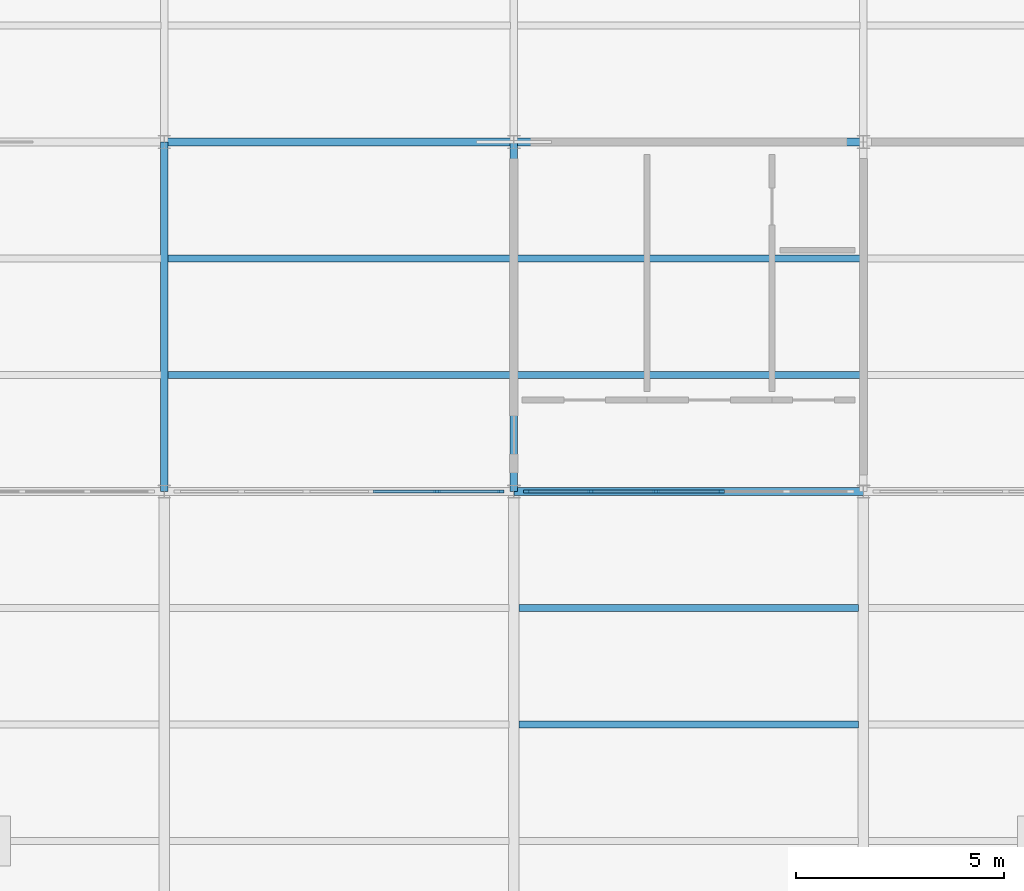
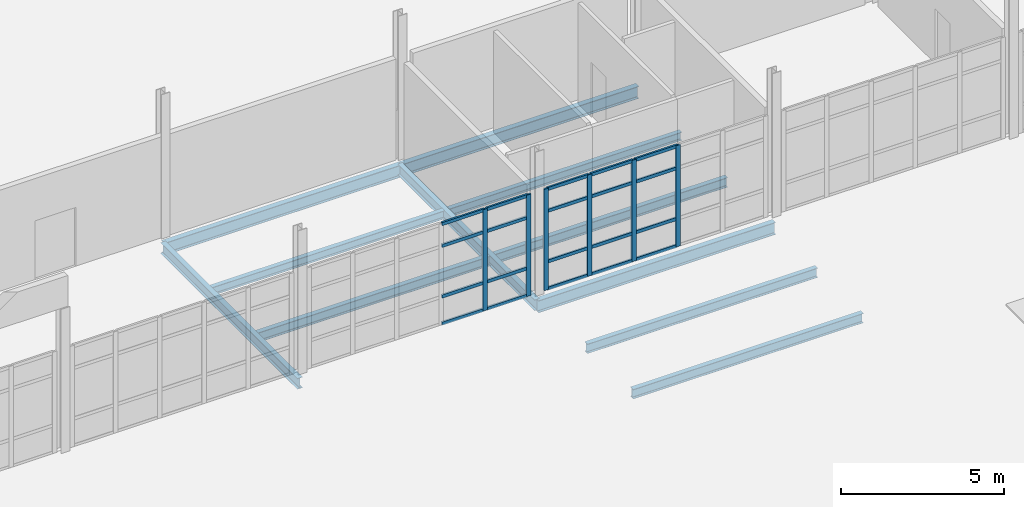
# One storey, part 10 of 33: 26 members, 11 beams, 2 elements without a shape of their own.
"""IFC4 building model written with IfcOpenShell, lengths in metres."""

from ifc_helpers import new_model, si_unit, direction, frame, origin, origin_2d, place, context, subcontext, project, spatial, rectangle, i_section, extrude, material, layer, layer_set, material_profile, profile_set, type_object, element, aggregate, save


model = new_model("IFC4")

# Units and contexts
model_context = context("Model", 3, precision=1e-05, world=origin(), true_north=direction((0.0, 1.0)))
body_context = subcontext(model_context, "Body", "Model", "MODEL_VIEW")
ifc_project = project(units=[si_unit("LENGTHUNIT", "METRE"), si_unit("AREAUNIT", "SQUARE_METRE"), si_unit("VOLUMEUNIT", "CUBIC_METRE"), si_unit("PLANEANGLEUNIT", "RADIAN"), si_unit("MASSUNIT", "GRAM", prefix="KILO"), si_unit("THERMODYNAMICTEMPERATUREUNIT", "KELVIN"), si_unit("POWERUNIT", "WATT")], contexts=[model_context])

# Site, building, storey
site_placement = place(None, origin())
site = spatial("IfcSite", under=ifc_project, at=site_placement, CompositionType="ELEMENT")
building_placement = place(site_placement, origin())
building = spatial("IfcBuilding", under=site, at=building_placement, Name="Tembeka Court Mobility Hub", CompositionType="ELEMENT")
storey_placement = place(building_placement, frame((0.0, 0.0, 23.39990234375)))
storey = spatial("IfcBuildingStorey", under=building, at=storey_placement, Name="L06", CompositionType="ELEMENT", Elevation=23.39990234375)

# Beams
ifc_material_1 = material(Name="Steel S355", Category="steel")
ifc_material_profile_1 = material_profile(ifc_material_1, i_section(OverallWidth=0.18994140625, OverallDepth=0.45703125, WebThickness=0.009033203125, FlangeThickness=0.014404296875, FilletRadius=0.01025390625, at=origin_2d()), Name="UKB 457x191x74")
ifc_profile_set_1 = profile_set([ifc_material_profile_1], Name="Steel S355")
beam_type_1 = type_object("IfcBeamType", Name="BM-B01", PredefinedType="BEAM", material=ifc_profile_set_1)
beam_1_placement = place(storey_placement, frame((58.800048828125, 38.39990234375, -0.478515625), z_axis=(1.0, 0.0, 0.0), x_axis=(0.0, 1.0, 0.0)))
element("IfcBeam", 1, at=beam_1_placement, inside=storey, type_object=beam_type_1, Name="Beam B01 (BM-L06-X3118)", PredefinedType="BEAM", context=body_context, shape_type="SweptSolid", body=[
    extrude(i_section(OverallWidth=0.18994140625, OverallDepth=0.45703125, WebThickness=0.009033203125, FlangeThickness=0.014404296875, FilletRadius=0.01025390625, at=origin_2d()), origin(), (0.0, 0.0, 1.0), 8.39990234375),
])
beam_2_placement = place(storey_placement, frame((50.39990234375, 46.800048828125, -0.478515625), z_axis=(1.0, 0.0, 0.0), x_axis=(0.0, 1.0, 0.0)))
element("IfcBeam", 2, at=beam_2_placement, inside=storey, type_object=beam_type_1, Name="Beam B01 (BM-L06-X3127)", PredefinedType="BEAM", context=body_context, shape_type="SweptSolid", body=[
    extrude(i_section(OverallWidth=0.18994140625, OverallDepth=0.45703125, WebThickness=0.009033203125, FlangeThickness=0.014404296875, FilletRadius=0.01025390625, at=origin_2d()), origin(), (0.0, 0.0, 1.0), 8.400146484375),
])
beam_3_placement = place(storey_placement, frame((58.800048828125, 46.800048828125, -0.478515625), z_axis=(1.0, 0.0, 0.0), x_axis=(0.0, 1.0, 0.0)))
element("IfcBeam", 3, at=beam_3_placement, inside=storey, type_object=beam_type_1, Name="Beam B01 (BM-L06-X3128)", PredefinedType="BEAM", context=body_context, shape_type="SweptSolid", body=[
    extrude(i_section(OverallWidth=0.18994140625, OverallDepth=0.45703125, WebThickness=0.009033203125, FlangeThickness=0.014404296875, FilletRadius=0.01025390625, at=origin_2d()), origin(), (0.0, 0.0, 1.0), 8.39990234375),
])
ifc_material_profile_2 = material_profile(ifc_material_1, i_section(OverallWidth=0.177978515625, OverallDepth=0.406005859375, WebThickness=0.0078125, FlangeThickness=0.0126953125, FilletRadius=0.01025390625, at=origin_2d()), Name="UKB 406x178x60")
ifc_profile_set_2 = profile_set([ifc_material_profile_2], Name="Steel S355")
beam_type_2 = type_object("IfcBeamType", Name="BM-B02", PredefinedType="BEAM", material=ifc_profile_set_2)
for number, where, z_axis, x_axis, name in (
    (4, (50.39990234375, 38.39990234375, -0.452880859375), (0.0, 1.0, 0.0), (-1.0, 0.0, 0.0), "Beam B02 (BM-L06-Y3249)"),
    (5, (58.800048828125, 38.39990234375, -0.452880859375), (0.0, 1.0, 0.0), (-1.0, 0.0, 0.0), "Beam B02 (BM-L06-Y3255)"),
):
    element("IfcBeam", number, at=place(storey_placement, frame(where, z_axis=z_axis, x_axis=x_axis)), inside=storey, type_object=beam_type_2, Name=name, PredefinedType="BEAM", context=body_context, shape_type="SweptSolid", body=[
        extrude(i_section(OverallWidth=0.177978515625, OverallDepth=0.406005859375, WebThickness=0.0078125, FlangeThickness=0.0126953125, FilletRadius=0.01025390625, at=origin_2d()), origin(), (0.0, 0.0, 1.0), 8.400146484375),
    ])
ifc_material_profile_3 = material_profile(ifc_material_1, i_section(OverallWidth=0.172119140625, OverallDepth=0.35498046875, WebThickness=0.00732421875, FlangeThickness=0.011474609375, FilletRadius=0.01025390625, at=origin_2d()), Name="UKB 356x171x51")
ifc_profile_set_3 = profile_set([ifc_material_profile_3], Name="Steel S355")
beam_type_3 = type_object("IfcBeamType", Name="BM-J01", PredefinedType="JOIST", material=ifc_profile_set_3)
for number, where, z_axis, x_axis, name in (
    (6, (58.922119140625, 32.800048828125, -0.407470703125), (1.0, 0.0, 0.0), (0.0, 1.0, 0.0), "Beam J01 (JST-L06-3424)"),
    (7, (58.922119140625, 35.60009765625, -0.407470703125), (1.0, 0.0, 0.0), (0.0, 1.0, 0.0), "Beam J01 (JST-L06-3425)"),
):
    element("IfcBeam", number, at=place(storey_placement, frame(where, z_axis=z_axis, x_axis=x_axis)), inside=storey, type_object=beam_type_3, Name=name, PredefinedType="JOIST", context=body_context, shape_type="SweptSolid", body=[
        extrude(i_section(OverallWidth=0.172119140625, OverallDepth=0.35498046875, WebThickness=0.00732421875, FlangeThickness=0.011474609375, FilletRadius=0.01025390625, at=origin_2d()), origin(), (0.0, 0.0, 1.0), 8.15576171875),
    ])
ifc_material_profile_4 = material_profile(ifc_material_1, i_section(OverallWidth=0.1650390625, OverallDepth=0.303955078125, WebThickness=0.006103515625, FlangeThickness=0.01025390625, FilletRadius=0.0087890625, at=origin_2d()), Name="UKB 305x165x40")
ifc_profile_set_4 = profile_set([ifc_material_profile_4], Name="Steel S355")
beam_type_4 = type_object("IfcBeamType", Name="BM-J02", PredefinedType="JOIST", material=ifc_profile_set_4)
beam_4_placement = place(storey_placement, frame((50.48388671875, 44.0, -0.40185546875), z_axis=(1.0, 0.0, 0.0), x_axis=(0.0, 1.0, 0.0)))
element("IfcBeam", 8, at=beam_4_placement, inside=storey, type_object=beam_type_4, Name="Beam J02 (JST-L06-3409)", PredefinedType="JOIST", context=body_context, shape_type="SweptSolid", body=[
    extrude(i_section(OverallWidth=0.1650390625, OverallDepth=0.303955078125, WebThickness=0.006103515625, FlangeThickness=0.01025390625, FilletRadius=0.0087890625, at=origin_2d()), origin(), (0.0, 0.0, 1.0), 8.232177734375),
])
beam_5_placement = place(storey_placement, frame((58.884033203125, 44.0, -0.40185546875), z_axis=(1.0, 0.0, 0.0), x_axis=(0.0, 1.0, 0.0)))
element("IfcBeam", 9, at=beam_5_placement, inside=storey, type_object=beam_type_4, Name="Beam J02 (JST-L06-3427)", PredefinedType="JOIST", context=body_context, shape_type="SweptSolid", body=[
    extrude(i_section(OverallWidth=0.1650390625, OverallDepth=0.303955078125, WebThickness=0.006103515625, FlangeThickness=0.01025390625, FilletRadius=0.0087890625, at=origin_2d()), origin(), (0.0, 0.0, 1.0), 8.23193359375),
])
ifc_material_profile_5 = material_profile(ifc_material_1, i_section(OverallWidth=0.169921875, OverallDepth=0.360107421875, WebThickness=0.008056640625, FlangeThickness=0.0126953125, FilletRadius=0.01806640625, at=origin_2d()), Name="IPE 360")
ifc_profile_set_5 = profile_set([ifc_material_profile_5], Name="Steel S355")
beam_type_5 = type_object("IfcBeamType", Name="BM-J03", PredefinedType="JOIST", material=ifc_profile_set_5)
beam_6_placement = place(storey_placement, frame((50.48388671875, 41.199951171875, -0.429931640625), z_axis=(1.0, 0.0, 0.0), x_axis=(0.0, 1.0, 0.0)))
element("IfcBeam", 10, at=beam_6_placement, inside=storey, type_object=beam_type_5, Name="Beam J03 (JST-L06-3408)", PredefinedType="JOIST", context=body_context, shape_type="SweptSolid", body=[
    extrude(i_section(OverallWidth=0.169921875, OverallDepth=0.360107421875, WebThickness=0.008056640625, FlangeThickness=0.0126953125, FilletRadius=0.01806640625, at=origin_2d()), origin(), (0.0, 0.0, 1.0), 8.232177734375),
])
beam_7_placement = place(storey_placement, frame((58.884033203125, 41.199951171875, -0.429931640625), z_axis=(1.0, 0.0, 0.0), x_axis=(0.0, 1.0, 0.0)))
element("IfcBeam", 11, at=beam_7_placement, inside=storey, type_object=beam_type_5, Name="Beam J03 (JST-L06-3426)", PredefinedType="JOIST", context=body_context, shape_type="SweptSolid", body=[
    extrude(i_section(OverallWidth=0.169921875, OverallDepth=0.360107421875, WebThickness=0.008056640625, FlangeThickness=0.0126953125, FilletRadius=0.01806640625, at=origin_2d()), origin(), (0.0, 0.0, 1.0), 8.23193359375),
])

# Curtain wall, members
ifc_material_2 = material(Name="Anodised aluminium 6063-T6", Category="aluminium")
ifc_layer = layer(ifc_material_2, 0.159912109375)
ifc_layer_set = layer_set([ifc_layer], Name="Anodised aluminium 6063-T6")
curtain_wall_type = type_object("IfcCurtainWallType", Name="CW-SYS57", PredefinedType="USERDEFINED", material=ifc_layer_set)
curtain_wall_1_placement = place(storey_placement, origin())
curtain_wall_1 = element("IfcCurtainWall", 12, at=curtain_wall_1_placement, inside=storey, type_object=curtain_wall_type, Name="Unitised curtain wall CW57 (CW-L06-156)", ObjectType="UNITISED GLAZING", PredefinedType="USERDEFINED")
ifc_material_profile_6 = material_profile(ifc_material_2, rectangle(XDim=0.06494140625, YDim=0.159912109375, at=origin_2d()), Name="ALU-MUL 65x160")
ifc_profile_set_6 = profile_set([ifc_material_profile_6], Name="Anodised aluminium 6063-T6")
member_type_1 = type_object("IfcMemberType", Name="CW-MUL01", PredefinedType="MULLION", material=ifc_profile_set_6)
member_1_placement = place(storey_placement, frame((56.951904296875, 38.39990234375, 0.0), z_axis=(0.0, 0.0, 1.0), x_axis=(0.0, 1.0, 0.0)))
member_1 = element("IfcMember", 13, at=member_1_placement, type_object=member_type_1, Name="CW57 mullion 5", PredefinedType="MULLION", context=body_context, shape_type="SweptSolid", body=[
    extrude(rectangle(XDim=0.06494140625, YDim=0.159912109375, at=origin_2d()), origin(), (0.0, 0.0, 1.0), 3.795166015625),
])
member_2_placement = place(storey_placement, frame((58.487548828125, 38.39990234375, 0.0), z_axis=(0.0, 0.0, 1.0), x_axis=(0.0, 1.0, 0.0)))
member_2 = element("IfcMember", 14, at=member_2_placement, type_object=member_type_1, Name="CW57 mullion 6", PredefinedType="MULLION", context=body_context, shape_type="SweptSolid", body=[
    extrude(rectangle(XDim=0.06494140625, YDim=0.159912109375, at=origin_2d()), origin(), (0.0, 0.0, 1.0), 3.795166015625),
])

curtain_wall_2_placement = place(storey_placement, origin())
curtain_wall_2 = element("IfcCurtainWall", 15, at=curtain_wall_2_placement, inside=storey, type_object=curtain_wall_type, Name="Unitised curtain wall CW57 (CW-L06-158)", ObjectType="UNITISED GLAZING", PredefinedType="USERDEFINED")
member_3_placement = place(storey_placement, frame((59.112548828125, 38.39990234375, 0.0), z_axis=(0.0, 0.0, 1.0), x_axis=(0.0, 1.0, 0.0)))
member_3 = element("IfcMember", 16, at=member_3_placement, type_object=member_type_1, Name="CW57 mullion 1", PredefinedType="MULLION", context=body_context, shape_type="SweptSolid", body=[
    extrude(rectangle(XDim=0.06494140625, YDim=0.159912109375, at=origin_2d()), origin(), (0.0, 0.0, 1.0), 3.795166015625),
])
member_4_placement = place(storey_placement, frame((60.64794921875, 38.39990234375, 0.0), z_axis=(0.0, 0.0, 1.0), x_axis=(0.0, 1.0, 0.0)))
member_4 = element("IfcMember", 17, at=member_4_placement, type_object=member_type_1, Name="CW57 mullion 2", PredefinedType="MULLION", context=body_context, shape_type="SweptSolid", body=[
    extrude(rectangle(XDim=0.06494140625, YDim=0.159912109375, at=origin_2d()), origin(), (0.0, 0.0, 1.0), 3.795166015625),
])
member_5_placement = place(storey_placement, frame((62.216064453125, 38.39990234375, 0.0), z_axis=(0.0, 0.0, 1.0), x_axis=(0.0, 1.0, 0.0)))
member_5 = element("IfcMember", 18, at=member_5_placement, type_object=member_type_1, Name="CW57 mullion 3", PredefinedType="MULLION", context=body_context, shape_type="SweptSolid", body=[
    extrude(rectangle(XDim=0.06494140625, YDim=0.159912109375, at=origin_2d()), origin(), (0.0, 0.0, 1.0), 3.795166015625),
])
member_6_placement = place(storey_placement, frame((63.783935546875, 38.39990234375, 0.0), z_axis=(0.0, 0.0, 1.0), x_axis=(0.0, 1.0, 0.0)))
member_6 = element("IfcMember", 19, at=member_6_placement, type_object=member_type_1, Name="CW57 mullion 4", PredefinedType="MULLION", context=body_context, shape_type="SweptSolid", body=[
    extrude(rectangle(XDim=0.06494140625, YDim=0.159912109375, at=origin_2d()), origin(), (0.0, 0.0, 1.0), 3.795166015625),
])

# Member
ifc_material_profile_7 = material_profile(ifc_material_2, rectangle(XDim=0.06494140625, YDim=0.1201171875, at=origin_2d()), Name="ALU-TRN 65x120")
ifc_profile_set_7 = profile_set([ifc_material_profile_7], Name="Anodised aluminium 6063-T6")
member_type_2 = type_object("IfcMemberType", Name="CW-TRN01", PredefinedType="USERDEFINED", material=ifc_profile_set_7)
member_7_placement = place(storey_placement, frame((55.41650390625, 38.39990234375, 0.03271484375), z_axis=(1.0, 0.0, 0.0), x_axis=(0.0, 1.0, 0.0)))
member_7 = element("IfcMember", 20, at=member_7_placement, type_object=member_type_2, Name="CW57 transom 4.1", ObjectType="TRANSOM", PredefinedType="USERDEFINED", context=body_context, shape_type="SweptSolid", body=[
    extrude(rectangle(XDim=0.06494140625, YDim=0.1201171875, at=origin_2d()), origin(), (0.0, 0.0, 1.0), 1.5029296875),
])

member_8_placement = place(storey_placement, frame((55.41650390625, 38.39990234375, 1.050048828125), z_axis=(1.0, 0.0, 0.0), x_axis=(0.0, 1.0, 0.0)))
member_8 = element("IfcMember", 21, at=member_8_placement, type_object=member_type_2, Name="CW57 transom 4.2", ObjectType="TRANSOM", PredefinedType="USERDEFINED", context=body_context, shape_type="SweptSolid", body=[
    extrude(rectangle(XDim=0.06494140625, YDim=0.1201171875, at=origin_2d()), origin(), (0.0, 0.0, 1.0), 1.5029296875),
])

member_9_placement = place(storey_placement, frame((55.41650390625, 38.39990234375, 2.945068359375), z_axis=(1.0, 0.0, 0.0), x_axis=(0.0, 1.0, 0.0)))
member_9 = element("IfcMember", 22, at=member_9_placement, type_object=member_type_2, Name="CW57 transom 4.3", ObjectType="TRANSOM", PredefinedType="USERDEFINED", context=body_context, shape_type="SweptSolid", body=[
    extrude(rectangle(XDim=0.06494140625, YDim=0.1201171875, at=origin_2d()), origin(), (0.0, 0.0, 1.0), 1.5029296875),
])

member_10_placement = place(storey_placement, frame((55.41650390625, 38.39990234375, 3.7626953125), z_axis=(1.0, 0.0, 0.0), x_axis=(0.0, 1.0, 0.0)))
member_10 = element("IfcMember", 23, at=member_10_placement, type_object=member_type_2, Name="CW57 transom 4.4", ObjectType="TRANSOM", PredefinedType="USERDEFINED", context=body_context, shape_type="SweptSolid", body=[
    extrude(rectangle(XDim=0.06494140625, YDim=0.1201171875, at=origin_2d()), origin(), (0.0, 0.0, 1.0), 1.5029296875),
])

member_11_placement = place(storey_placement, frame((56.984619140625, 38.39990234375, 0.03271484375), z_axis=(1.0, 0.0, 0.0), x_axis=(0.0, 1.0, 0.0)))
member_11 = element("IfcMember", 24, at=member_11_placement, type_object=member_type_2, Name="CW57 transom 5.1", ObjectType="TRANSOM", PredefinedType="USERDEFINED", context=body_context, shape_type="SweptSolid", body=[
    extrude(rectangle(XDim=0.06494140625, YDim=0.1201171875, at=origin_2d()), origin(), (0.0, 0.0, 1.0), 1.470458984375),
])

member_12_placement = place(storey_placement, frame((56.984619140625, 38.39990234375, 1.050048828125), z_axis=(1.0, 0.0, 0.0), x_axis=(0.0, 1.0, 0.0)))
member_12 = element("IfcMember", 25, at=member_12_placement, type_object=member_type_2, Name="CW57 transom 5.2", ObjectType="TRANSOM", PredefinedType="USERDEFINED", context=body_context, shape_type="SweptSolid", body=[
    extrude(rectangle(XDim=0.06494140625, YDim=0.1201171875, at=origin_2d()), origin(), (0.0, 0.0, 1.0), 1.470458984375),
])

member_13_placement = place(storey_placement, frame((56.984619140625, 38.39990234375, 2.945068359375), z_axis=(1.0, 0.0, 0.0), x_axis=(0.0, 1.0, 0.0)))
member_13 = element("IfcMember", 26, at=member_13_placement, type_object=member_type_2, Name="CW57 transom 5.3", ObjectType="TRANSOM", PredefinedType="USERDEFINED", context=body_context, shape_type="SweptSolid", body=[
    extrude(rectangle(XDim=0.06494140625, YDim=0.1201171875, at=origin_2d()), origin(), (0.0, 0.0, 1.0), 1.470458984375),
])

member_14_placement = place(storey_placement, frame((56.984619140625, 38.39990234375, 3.7626953125), z_axis=(1.0, 0.0, 0.0), x_axis=(0.0, 1.0, 0.0)))
member_14 = element("IfcMember", 27, at=member_14_placement, type_object=member_type_2, Name="CW57 transom 5.4", ObjectType="TRANSOM", PredefinedType="USERDEFINED", context=body_context, shape_type="SweptSolid", body=[
    extrude(rectangle(XDim=0.06494140625, YDim=0.1201171875, at=origin_2d()), origin(), (0.0, 0.0, 1.0), 1.470458984375),
])

aggregate(curtain_wall_1, [member_1, member_2, member_7, member_8, member_9, member_10, member_11, member_12, member_13, member_14])

member_15_placement = place(storey_placement, frame((59.14501953125, 38.39990234375, 0.03271484375), z_axis=(1.0, 0.0, 0.0), x_axis=(0.0, 1.0, 0.0)))
member_15 = element("IfcMember", 28, at=member_15_placement, type_object=member_type_2, Name="CW57 transom 1.1", ObjectType="TRANSOM", PredefinedType="USERDEFINED", context=body_context, shape_type="SweptSolid", body=[
    extrude(rectangle(XDim=0.06494140625, YDim=0.1201171875, at=origin_2d()), origin(), (0.0, 0.0, 1.0), 1.470458984375),
])

member_16_placement = place(storey_placement, frame((59.14501953125, 38.39990234375, 1.050048828125), z_axis=(1.0, 0.0, 0.0), x_axis=(0.0, 1.0, 0.0)))
member_16 = element("IfcMember", 29, at=member_16_placement, type_object=member_type_2, Name="CW57 transom 1.2", ObjectType="TRANSOM", PredefinedType="USERDEFINED", context=body_context, shape_type="SweptSolid", body=[
    extrude(rectangle(XDim=0.06494140625, YDim=0.1201171875, at=origin_2d()), origin(), (0.0, 0.0, 1.0), 1.470458984375),
])

member_17_placement = place(storey_placement, frame((59.14501953125, 38.39990234375, 2.945068359375), z_axis=(1.0, 0.0, 0.0), x_axis=(0.0, 1.0, 0.0)))
member_17 = element("IfcMember", 30, at=member_17_placement, type_object=member_type_2, Name="CW57 transom 1.3", ObjectType="TRANSOM", PredefinedType="USERDEFINED", context=body_context, shape_type="SweptSolid", body=[
    extrude(rectangle(XDim=0.06494140625, YDim=0.1201171875, at=origin_2d()), origin(), (0.0, 0.0, 1.0), 1.470458984375),
])

member_18_placement = place(storey_placement, frame((59.14501953125, 38.39990234375, 3.7626953125), z_axis=(1.0, 0.0, 0.0), x_axis=(0.0, 1.0, 0.0)))
member_18 = element("IfcMember", 31, at=member_18_placement, type_object=member_type_2, Name="CW57 transom 1.4", ObjectType="TRANSOM", PredefinedType="USERDEFINED", context=body_context, shape_type="SweptSolid", body=[
    extrude(rectangle(XDim=0.06494140625, YDim=0.1201171875, at=origin_2d()), origin(), (0.0, 0.0, 1.0), 1.470458984375),
])

member_19_placement = place(storey_placement, frame((60.680419921875, 38.39990234375, 0.03271484375), z_axis=(1.0, 0.0, 0.0), x_axis=(0.0, 1.0, 0.0)))
member_19 = element("IfcMember", 32, at=member_19_placement, type_object=member_type_2, Name="CW57 transom 2.1", ObjectType="TRANSOM", PredefinedType="USERDEFINED", context=body_context, shape_type="SweptSolid", body=[
    extrude(rectangle(XDim=0.06494140625, YDim=0.1201171875, at=origin_2d()), origin(), (0.0, 0.0, 1.0), 1.503173828125),
])

member_20_placement = place(storey_placement, frame((60.680419921875, 38.39990234375, 1.050048828125), z_axis=(1.0, 0.0, 0.0), x_axis=(0.0, 1.0, 0.0)))
member_20 = element("IfcMember", 33, at=member_20_placement, type_object=member_type_2, Name="CW57 transom 2.2", ObjectType="TRANSOM", PredefinedType="USERDEFINED", context=body_context, shape_type="SweptSolid", body=[
    extrude(rectangle(XDim=0.06494140625, YDim=0.1201171875, at=origin_2d()), origin(), (0.0, 0.0, 1.0), 1.503173828125),
])

member_21_placement = place(storey_placement, frame((60.680419921875, 38.39990234375, 2.945068359375), z_axis=(1.0, 0.0, 0.0), x_axis=(0.0, 1.0, 0.0)))
member_21 = element("IfcMember", 34, at=member_21_placement, type_object=member_type_2, Name="CW57 transom 2.3", ObjectType="TRANSOM", PredefinedType="USERDEFINED", context=body_context, shape_type="SweptSolid", body=[
    extrude(rectangle(XDim=0.06494140625, YDim=0.1201171875, at=origin_2d()), origin(), (0.0, 0.0, 1.0), 1.503173828125),
])

member_22_placement = place(storey_placement, frame((60.680419921875, 38.39990234375, 3.7626953125), z_axis=(1.0, 0.0, 0.0), x_axis=(0.0, 1.0, 0.0)))
member_22 = element("IfcMember", 35, at=member_22_placement, type_object=member_type_2, Name="CW57 transom 2.4", ObjectType="TRANSOM", PredefinedType="USERDEFINED", context=body_context, shape_type="SweptSolid", body=[
    extrude(rectangle(XDim=0.06494140625, YDim=0.1201171875, at=origin_2d()), origin(), (0.0, 0.0, 1.0), 1.503173828125),
])

member_23_placement = place(storey_placement, frame((62.24853515625, 38.39990234375, 0.03271484375), z_axis=(1.0, 0.0, 0.0), x_axis=(0.0, 1.0, 0.0)))
member_23 = element("IfcMember", 36, at=member_23_placement, type_object=member_type_2, Name="CW57 transom 3.1", ObjectType="TRANSOM", PredefinedType="USERDEFINED", context=body_context, shape_type="SweptSolid", body=[
    extrude(rectangle(XDim=0.06494140625, YDim=0.1201171875, at=origin_2d()), origin(), (0.0, 0.0, 1.0), 1.5029296875),
])

member_24_placement = place(storey_placement, frame((62.24853515625, 38.39990234375, 1.050048828125), z_axis=(1.0, 0.0, 0.0), x_axis=(0.0, 1.0, 0.0)))
member_24 = element("IfcMember", 37, at=member_24_placement, type_object=member_type_2, Name="CW57 transom 3.2", ObjectType="TRANSOM", PredefinedType="USERDEFINED", context=body_context, shape_type="SweptSolid", body=[
    extrude(rectangle(XDim=0.06494140625, YDim=0.1201171875, at=origin_2d()), origin(), (0.0, 0.0, 1.0), 1.5029296875),
])

member_25_placement = place(storey_placement, frame((62.24853515625, 38.39990234375, 2.945068359375), z_axis=(1.0, 0.0, 0.0), x_axis=(0.0, 1.0, 0.0)))
member_25 = element("IfcMember", 38, at=member_25_placement, type_object=member_type_2, Name="CW57 transom 3.3", ObjectType="TRANSOM", PredefinedType="USERDEFINED", context=body_context, shape_type="SweptSolid", body=[
    extrude(rectangle(XDim=0.06494140625, YDim=0.1201171875, at=origin_2d()), origin(), (0.0, 0.0, 1.0), 1.5029296875),
])

member_26_placement = place(storey_placement, frame((62.24853515625, 38.39990234375, 3.7626953125), z_axis=(1.0, 0.0, 0.0), x_axis=(0.0, 1.0, 0.0)))
member_26 = element("IfcMember", 39, at=member_26_placement, type_object=member_type_2, Name="CW57 transom 3.4", ObjectType="TRANSOM", PredefinedType="USERDEFINED", context=body_context, shape_type="SweptSolid", body=[
    extrude(rectangle(XDim=0.06494140625, YDim=0.1201171875, at=origin_2d()), origin(), (0.0, 0.0, 1.0), 1.5029296875),
])

aggregate(curtain_wall_2, [member_3, member_4, member_5, member_6, member_15, member_16, member_17, member_18, member_19, member_20, member_21, member_22, member_23, member_24, member_25, member_26])

save(model, "model.ifc")
